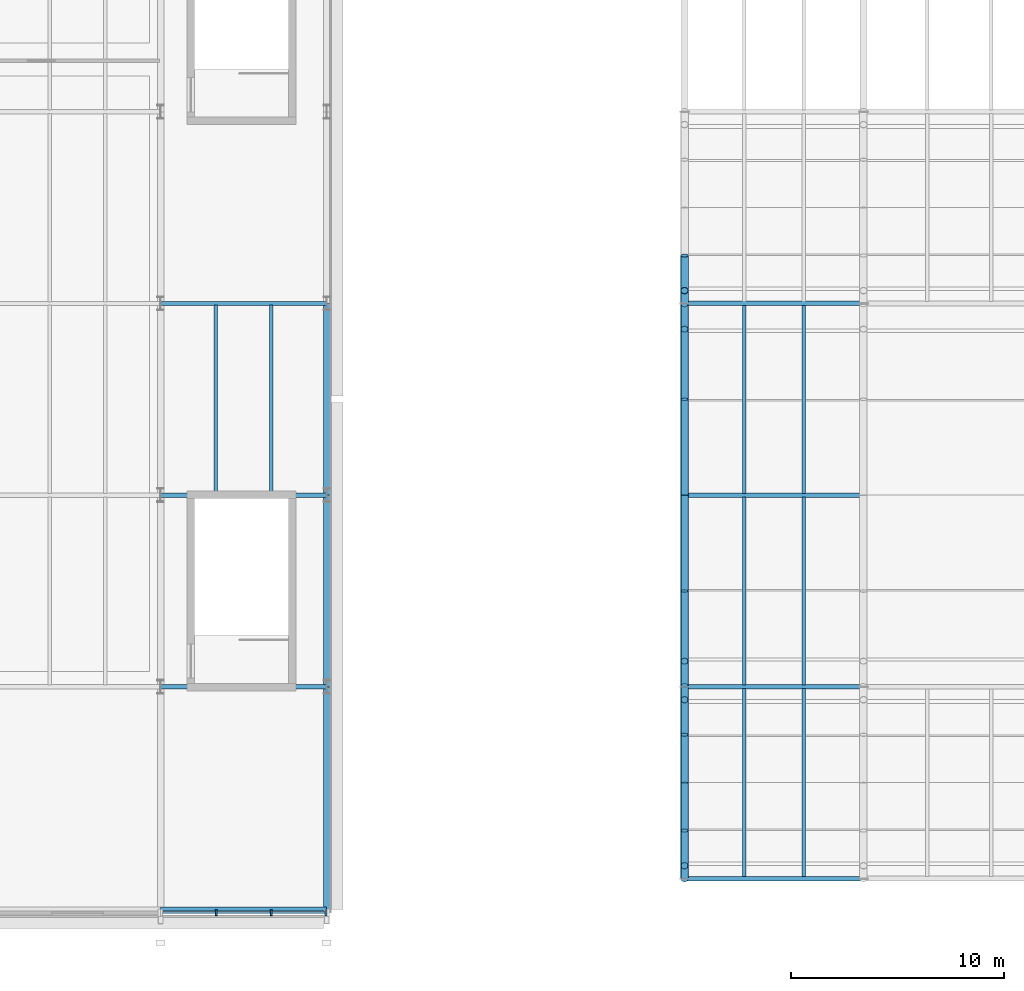
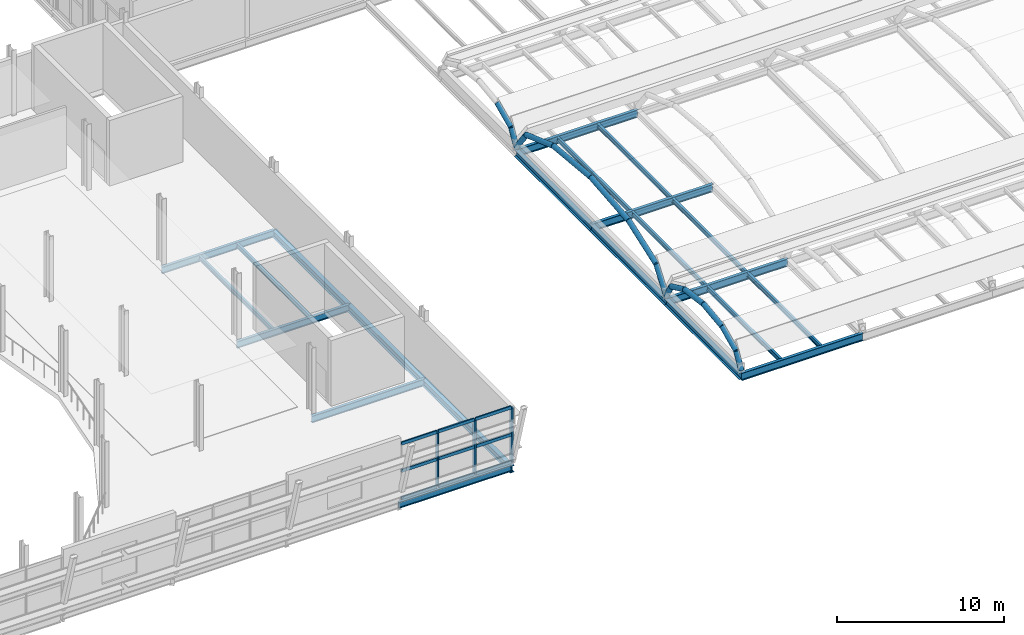
# One storey, part 20 of 63: 26 members, 22 beams, 1 element without a shape of its own.
"""IFC4 building model written with IfcOpenShell, lengths in metres."""

import ifcopenshell
import ifcopenshell.guid

model = None  # the IFC model being written
_history = None  # IfcOwnerHistory: only IFC2X3 demands one
_inside = {}  # id of a spatial element -> (the spatial element, [elements in it])
_under = {}  # id of a project, library or spatial element -> (it, [spatial elements below it])
_declared = {}  # id of a project -> (the project, [libraries it declares])
_typed = {}  # id of a type object -> (the type object, [elements of that type])
_made_of = {}  # id of a material, layer set ... -> (it, [elements and type objects made of it])


def new_model(schema):
    """Start an empty IFC model of exactly this schema.

    Asked for "IFC4X3", IfcOpenShell would pick the latest addendum, in which some entities
    have other attributes; the version numbers below select the first issue.
    IFC2X3 requires an IfcOwnerHistory on every rooted entity: one is made here for all.
    """
    global model, _history
    if schema == "IFC4X3":
        model = ifcopenshell.file(schema_version=(4, 3, 0, 0))
    else:
        model = ifcopenshell.file(schema=schema)
    _inside.clear()
    _under.clear()
    _declared.clear()
    _typed.clear()
    _made_of.clear()
    _history = None
    if model.schema == "IFC2X3":
        org = make("IfcOrganization", Name="unknown")
        user = make(
            "IfcPersonAndOrganization",
            ThePerson=make("IfcPerson", FamilyName="unknown"),
            TheOrganization=org,
        )
        app = make(
            "IfcApplication",
            ApplicationDeveloper=org,
            Version="unknown",
            ApplicationFullName="unknown",
            ApplicationIdentifier="unknown",
        )
        _history = make(
            "IfcOwnerHistory",
            OwningUser=user,
            OwningApplication=app,
            ChangeAction="ADDED",
            CreationDate=0,
        )
    return model


def make(cls, **values):
    """One entity of the class cls with the attributes given. An attribute that is None is left unset."""
    return model.create_entity(
        cls, **{name: value for name, value in values.items() if value is not None}
    )


def rooted(cls, **values):
    """An entity with a GlobalId (a new one), such as an element, a storey or a relation."""
    return make(cls, GlobalId=ifcopenshell.guid.new(), OwnerHistory=_history, **values)


def si_unit(unit_type, name, prefix=None):
    """IfcSIUnit, for example si_unit("LENGTHUNIT", "METRE", prefix="MILLI")."""
    return make("IfcSIUnit", UnitType=unit_type, Prefix=prefix, Name=name)


def assignment(units):
    """IfcUnitAssignment: the units of a project."""
    return None if units is None else make("IfcUnitAssignment", Units=units)


def point(xyz):
    """IfcCartesianPoint."""
    return None if xyz is None else make("IfcCartesianPoint", Coordinates=xyz)


def direction(xyz):
    """IfcDirection."""
    return None if xyz is None else make("IfcDirection", DirectionRatios=xyz)


def frame(location, z_axis=None, x_axis=None):
    """IfcAxis2Placement3D, a coordinate frame: its origin and axes. An axis left out is left unset."""
    return make(
        "IfcAxis2Placement3D",
        Location=point(location),
        Axis=direction(z_axis),
        RefDirection=direction(x_axis),
    )


def frame_2d(location, x_axis=None):
    """IfcAxis2Placement2D, a coordinate frame in the plane: its origin and x axis."""
    return make(
        "IfcAxis2Placement2D", Location=point(location), RefDirection=direction(x_axis)
    )


def origin():
    """The frame at (0, 0, 0) with its axes left unset."""
    return frame((0.0, 0.0, 0.0))


def origin_2d():
    """The frame at (0, 0) in the plane with its x axis left unset."""
    return frame_2d((0.0, 0.0))


def place(relative_to, where):
    """IfcLocalPlacement: puts the frame where relative to a parent placement (None: the world)."""
    return make(
        "IfcLocalPlacement", PlacementRelTo=relative_to, RelativePlacement=where
    )


def context(
    kind, dimensions, precision=None, world=None, true_north=None, identifier=None
):
    """IfcGeometricRepresentationContext, for example the 3D "Model" context."""
    return make(
        "IfcGeometricRepresentationContext",
        ContextIdentifier=identifier,
        ContextType=kind,
        CoordinateSpaceDimension=dimensions,
        Precision=precision,
        WorldCoordinateSystem=world,
        TrueNorth=true_north,
    )


def subcontext(parent, identifier, kind, view, scale=None):
    """IfcGeometricRepresentationSubContext, for example "Body" below "Model"."""
    return make(
        "IfcGeometricRepresentationSubContext",
        ContextIdentifier=identifier,
        ContextType=kind,
        ParentContext=parent,
        TargetScale=scale,
        TargetView=view,
    )


def project(units=None, contexts=None):
    """IfcProject with its units and contexts."""
    return rooted(
        "IfcProject",
        Name="project",
        RepresentationContexts=contexts,
        UnitsInContext=assignment(units),
    )


def spatial(cls, under=None, at=None, **own):
    """A site, building, storey or space (cls), placed at a placement, below another one or the project."""
    s = rooted(cls, ObjectPlacement=at, **own)
    if under is not None:
        _under.setdefault(under.id(), (under, []))[1].append(s)
    return s


def profile(cls, at=None, kind="AREA", **sizes):
    """A parametric profile (cls). Its sizes go by their IFC names, for example OverallWidth=200.0."""
    return make(cls, ProfileType=kind, Position=at, **sizes)


def rectangle(**sizes):
    """IfcRectangleProfileDef."""
    return profile("IfcRectangleProfileDef", **sizes)


def hollow_circle(**sizes):
    """IfcCircleHollowProfileDef."""
    return profile("IfcCircleHollowProfileDef", **sizes)


def i_section(**sizes):
    """IfcIShapeProfileDef."""
    return profile("IfcIShapeProfileDef", **sizes)


def extrude(swept, where, along, depth):
    """IfcExtrudedAreaSolid: the profile swept, set in the frame where, extruded along a direction by depth."""
    return make(
        "IfcExtrudedAreaSolid",
        SweptArea=swept,
        Position=where,
        ExtrudedDirection=direction(along),
        Depth=depth,
    )


def shape(context_of_items, identifier, shape_type, items):
    """IfcShapeRepresentation: the items that make up one representation, for example the "Body"."""
    return make(
        "IfcShapeRepresentation",
        ContextOfItems=context_of_items,
        RepresentationIdentifier=identifier,
        RepresentationType=shape_type,
        Items=items,
    )


def material(Name=None, Category=None):
    """IfcMaterial."""
    return make("IfcMaterial", Name=Name, Category=Category)


def layer(
    of_material, thickness, ventilated=None, Name=None, Category=None, Priority=None
):
    """IfcMaterialLayer: one layer of a wall or slab, of a material (None: an air gap)."""
    return make(
        "IfcMaterialLayer",
        Material=of_material,
        LayerThickness=thickness,
        IsVentilated=ventilated,
        Name=Name,
        Category=Category,
        Priority=Priority,
    )


def layer_set(layers, Name=None):
    """IfcMaterialLayerSet."""
    return make("IfcMaterialLayerSet", MaterialLayers=layers, LayerSetName=Name)


def material_profile(
    of_material, cross_section, Name=None, Category=None, Priority=None
):
    """IfcMaterialProfile: a cross section and its material."""
    return make(
        "IfcMaterialProfile",
        Name=Name,
        Material=of_material,
        Profile=cross_section,
        Priority=Priority,
        Category=Category,
    )


def profile_set(profiles, Name=None, composite=None):
    """IfcMaterialProfileSet."""
    return make(
        "IfcMaterialProfileSet",
        Name=Name,
        MaterialProfiles=profiles,
        CompositeProfile=composite,
    )


def made_of(thing, what):
    """Note that an element or type object is made of a material, layer set ...; save() writes the relation."""
    if what is not None:
        _made_of.setdefault(what.id(), (what, []))[1].append(thing)
    return thing


def type_object(cls, material=None, **own):
    """A type object (cls), such as IfcWallType, which elements share."""
    return made_of(rooted(cls, **own), material)


def element(
    cls,
    number,
    at=None,
    inside=None,
    cuts=None,
    type_object=None,
    material=None,
    context=None,
    identifier="Body",
    shape_type=None,
    held_by="IfcProductDefinitionShape",
    body=None,
    shapes=None,
    **own,
):
    """One element of the class cls, such as IfcWall. Its Tag is "e" and its number.

    at: its placement. inside: the storey or other place that contains it. cuts: it is an
    opening in that element (IfcRelVoidsElement). A single representation is given by context,
    identifier, shape_type and body (its items); several are given by shapes. held_by: the class
    of the entity that holds the representations. save() writes the other relations.
    """
    e = rooted(cls, Tag="e%d" % number, ObjectPlacement=at, **own)
    if body is not None:
        shapes = [shape(context, identifier, shape_type, body)]
    if shapes is not None:
        e.Representation = make(held_by, Representations=shapes)
    if inside is not None:
        _inside.setdefault(inside.id(), (inside, []))[1].append(e)
    if cuts is not None:
        rooted(
            "IfcRelVoidsElement", RelatingBuildingElement=cuts, RelatedOpeningElement=e
        )
    if type_object is not None:
        _typed.setdefault(type_object.id(), (type_object, []))[1].append(e)
    return made_of(e, material)


def aggregate(whole, parts):
    """IfcRelAggregates: a whole, such as a stair, and the parts it consists of."""
    return rooted("IfcRelAggregates", RelatingObject=whole, RelatedObjects=parts)


def save(model, path):
    """Write the relations noted so far, then the file.

    IfcRelAggregates (storeys below a building ...), IfcRelContainedInSpatialStructure (elements
    in a storey), IfcRelDefinesByType, IfcRelAssociatesMaterial and IfcRelDeclares: one each for
    every whole, place, type object, material and project.
    """
    for whole, parts in _under.values():
        aggregate(whole, parts)
    for where, things in _inside.values():
        rooted(
            "IfcRelContainedInSpatialStructure",
            RelatedElements=things,
            RelatingStructure=where,
        )
    for kind, things in _typed.values():
        rooted("IfcRelDefinesByType", RelatedObjects=things, RelatingType=kind)
    for what, things in _made_of.values():
        rooted("IfcRelAssociatesMaterial", RelatedObjects=things, RelatingMaterial=what)
    for by, libraries in _declared.values():
        rooted("IfcRelDeclares", RelatingContext=by, RelatedDefinitions=libraries)
    model.write(path)


model = new_model("IFC4")

# Units and contexts
model_context = context("Model", 3, precision=1e-05, world=origin(), true_north=direction((0.0, 1.0)))
body_context = subcontext(model_context, "Body", "Model", "MODEL_VIEW")
ifc_project = project(units=[si_unit("LENGTHUNIT", "METRE"), si_unit("AREAUNIT", "SQUARE_METRE"), si_unit("VOLUMEUNIT", "CUBIC_METRE"), si_unit("PLANEANGLEUNIT", "RADIAN"), si_unit("MASSUNIT", "GRAM", prefix="KILO")], contexts=[model_context])

# Site, building, storey
site_placement = place(None, origin())
site = spatial("IfcSite", under=ifc_project, at=site_placement, CompositionType="ELEMENT")
building_placement = place(site_placement, origin())
building = spatial("IfcBuilding", under=site, at=building_placement, Name="Sefraquen Railside Congress Hotel", CompositionType="ELEMENT")
storey_placement = place(building_placement, frame((0.0, 0.0, 11.39990234375)))
storey = spatial("IfcBuildingStorey", under=building, at=storey_placement, Name="L02", CompositionType="ELEMENT", Elevation=11.39990234375)

# Beams
ifc_material_1 = material(Name="Steel S355JR", Category="steel")
ifc_material_profile_1 = material_profile(ifc_material_1, i_section(OverallWidth=0.18994140625, OverallDepth=0.449951171875, WebThickness=0.009521484375, FlangeThickness=0.0146484375, FilletRadius=0.02099609375, at=origin_2d()), Name="IPE 450")
ifc_profile_set_1 = profile_set([ifc_material_profile_1], Name="Steel S355JR")
beam_type_1 = type_object("IfcBeamType", Name="TB-BM-450", PredefinedType="BEAM", material=ifc_profile_set_1)
beam_1_placement = place(storey_placement, frame((95.39990234375, 7.57080078125, -0.574951171875), z_axis=(1.0, 0.0, 0.0), x_axis=(0.0, 1.0, 0.0)))
element("IfcBeam", 1, at=beam_1_placement, inside=storey, type_object=beam_type_1, Name="Congress leaning-hull south edge beam L02-09", PredefinedType="BEAM", context=body_context, shape_type="SweptSolid", body=[
    extrude(i_section(OverallWidth=0.18994140625, OverallDepth=0.449951171875, WebThickness=0.009521484375, FlangeThickness=0.0146484375, FilletRadius=0.02099609375, at=origin_2d()), origin(), (0.0, 0.0, 1.0), 7.800048828125),
])
ifc_material_profile_2 = material_profile(ifc_material_1, i_section(OverallWidth=0.199951171875, OverallDepth=0.5, WebThickness=0.01025390625, FlangeThickness=0.01611328125, FilletRadius=0.02099609375, at=origin_2d()), Name="IPE 500")
ifc_profile_set_2 = profile_set([ifc_material_profile_2], Name="Steel S355JR")
beam_type_2 = type_object("IfcBeamType", Name="TB-BM-500", PredefinedType="BEAM", material=ifc_profile_set_2)
for number, where, z_axis, x_axis, name in (
    (2, (95.39990234375, 18.0, -0.599853515625), (1.0, 0.0, 0.0), (0.0, 1.0, 0.0), "Primary girder BM-L02-0683"),
    (3, (95.39990234375, 27.0, -0.599853515625), (1.0, 0.0, 0.0), (0.0, 1.0, 0.0), "Primary girder BM-L02-0694"),
    (4, (95.39990234375, 36.0, -0.599853515625), (1.0, 0.0, 0.0), (0.0, 1.0, 0.0), "Primary girder BM-L02-0698"),
):
    element("IfcBeam", number, at=place(storey_placement, frame(where, z_axis=z_axis, x_axis=x_axis)), inside=storey, type_object=beam_type_2, Name=name, PredefinedType="BEAM", context=body_context, shape_type="SweptSolid", body=[
        extrude(i_section(OverallWidth=0.199951171875, OverallDepth=0.5, WebThickness=0.01025390625, FlangeThickness=0.01611328125, FilletRadius=0.02099609375, at=origin_2d()), origin(), (0.0, 0.0, 1.0), 7.800048828125),
    ])
ifc_material_profile_3 = material_profile(ifc_material_1, i_section(OverallWidth=0.300048828125, OverallDepth=0.489990234375, WebThickness=0.011962890625, FlangeThickness=0.02294921875, FilletRadius=0.027099609375, at=origin_2d()), Name="HEA 500")
ifc_profile_set_3 = profile_set([ifc_material_profile_3], Name="Steel S355JR")
beam_type_3 = type_object("IfcBeamType", Name="TB-GIR-500", PredefinedType="T_BEAM", material=ifc_profile_set_3)
for number, where, z_axis, x_axis, name in (
    (5, (103.199951171875, 18.0, -0.594970703125), (0.0, 1.0, 0.0), (-1.0, 0.0, 0.0), "Floor beam BM-L02-0923"),
    (6, (103.199951171875, 27.0, -0.594970703125), (0.0, 1.0, 0.0), (-1.0, 0.0, 0.0), "Floor beam BM-L02-0924"),
    (7, (120.0, 9.0, -0.594970703125), (0.0, 1.0, 0.0), (-1.0, 0.0, 0.0), "Floor beam BM-L02-0943"),
    (8, (120.0, 18.0, -0.594970703125), (0.0, 1.0, 0.0), (-1.0, 0.0, 0.0), "Floor beam BM-L02-0944"),
    (9, (120.0, 27.0, -0.594970703125), (0.0, 1.0, 0.0), (-1.0, 0.0, 0.0), "Floor beam BM-L02-0945"),
):
    element("IfcBeam", number, at=place(storey_placement, frame(where, z_axis=z_axis, x_axis=x_axis)), inside=storey, type_object=beam_type_3, Name=name, PredefinedType="T_BEAM", context=body_context, shape_type="SweptSolid", body=[
        extrude(i_section(OverallWidth=0.300048828125, OverallDepth=0.489990234375, WebThickness=0.011962890625, FlangeThickness=0.02294921875, FilletRadius=0.027099609375, at=origin_2d()), origin(), (0.0, 0.0, 1.0), 9.0),
    ])
beam_2_placement = place(storey_placement, frame((103.199951171875, 7.400390625, -0.594970703125), z_axis=(0.0, 1.0, 0.0), x_axis=(-1.0, 0.0, 0.0)))
element("IfcBeam", 10, at=beam_2_placement, inside=storey, type_object=beam_type_3, Name="Congress leaning-hull diaphragm tie girder S-14 L02", PredefinedType="T_BEAM", context=body_context, shape_type="SweptSolid", body=[
    extrude(i_section(OverallWidth=0.300048828125, OverallDepth=0.489990234375, WebThickness=0.011962890625, FlangeThickness=0.02294921875, FilletRadius=0.027099609375, at=origin_2d()), origin(), (0.0, 0.0, 1.0), 10.599609375),
])
ifc_material_profile_4 = material_profile(ifc_material_1, i_section(OverallWidth=0.2099609375, OverallDepth=0.550048828125, WebThickness=0.010986328125, FlangeThickness=0.01708984375, FilletRadius=0.02392578125, at=origin_2d()), Name="IPE 550")
ifc_profile_set_4 = profile_set([ifc_material_profile_4], Name="Steel S355JR")
beam_type_4 = type_object("IfcBeamType", Name="TB-GIR-550", PredefinedType="T_BEAM", material=ifc_profile_set_4)
for number, where, z_axis, x_axis, name in (
    (11, (120.0, 9.0, -0.625), (1.0, 0.0, 0.0), (0.0, 1.0, 0.0), "Thermal Spa vault tension ring girder BM-L02-0675"),
    (12, (120.0, 18.0, -0.625), (1.0, 0.0, 0.0), (0.0, 1.0, 0.0), "Thermal Spa vault tension ring girder BM-L02-0684"),
    (13, (120.0, 27.0, -0.625), (1.0, 0.0, 0.0), (0.0, 1.0, 0.0), "Primary girder BM-L02-0695"),
    (14, (120.0, 36.0, -0.625), (1.0, 0.0, 0.0), (0.0, 1.0, 0.0), "Thermal Spa vault tension ring girder BM-L02-0699"),
):
    element("IfcBeam", number, at=place(storey_placement, frame(where, z_axis=z_axis, x_axis=x_axis)), inside=storey, type_object=beam_type_4, Name=name, PredefinedType="T_BEAM", context=body_context, shape_type="SweptSolid", body=[
        extrude(i_section(OverallWidth=0.2099609375, OverallDepth=0.550048828125, WebThickness=0.010986328125, FlangeThickness=0.01708984375, FilletRadius=0.02392578125, at=origin_2d()), origin(), (0.0, 0.0, 1.0), 8.39990234375),
    ])
ifc_material_profile_5 = material_profile(ifc_material_1, i_section(OverallWidth=0.159912109375, OverallDepth=0.330078125, WebThickness=0.007568359375, FlangeThickness=0.011474609375, FilletRadius=0.01806640625, at=origin_2d()), Name="IPE 330")
ifc_profile_set_5 = profile_set([ifc_material_profile_5], Name="Steel S355JR")
beam_type_5 = type_object("IfcBeamType", Name="TB-JST-330", PredefinedType="JOIST", material=ifc_profile_set_5)
for number, where, z_axis, x_axis, name in (
    (15, (98.0, 27.080078125, -0.514892578125), (0.0, 1.0, 0.0), (-1.0, 0.0, 0.0), "Composite floor joist BM-L02-J0554"),
    (16, (100.60009765625, 27.080078125, -0.514892578125), (0.0, 1.0, 0.0), (-1.0, 0.0, 0.0), "Composite floor joist BM-L02-J0555"),
):
    element("IfcBeam", number, at=place(storey_placement, frame(where, z_axis=z_axis, x_axis=x_axis)), inside=storey, type_object=beam_type_5, Name=name, PredefinedType="JOIST", context=body_context, shape_type="SweptSolid", body=[
        extrude(i_section(OverallWidth=0.159912109375, OverallDepth=0.330078125, WebThickness=0.007568359375, FlangeThickness=0.011474609375, FilletRadius=0.01806640625, at=origin_2d()), origin(), (0.0, 0.0, 1.0), 8.83984375),
    ])
for number, where, z_axis, x_axis, name in (
    (17, (122.800048828125, 9.0849609375, -0.514892578125), (0.0, 1.0, 0.0), (-1.0, 0.0, 0.0), "Composite floor joist BM-L02-J0584"),
    (18, (125.60009765625, 9.0849609375, -0.514892578125), (0.0, 1.0, 0.0), (-1.0, 0.0, 0.0), "Composite floor joist BM-L02-J0585"),
    (19, (122.800048828125, 18.0849609375, -0.514892578125), (0.0, 1.0, 0.0), (-1.0, 0.0, 0.0), "Composite floor joist BM-L02-J0586"),
    (20, (125.60009765625, 18.0849609375, -0.514892578125), (0.0, 1.0, 0.0), (-1.0, 0.0, 0.0), "Composite floor joist BM-L02-J0587"),
    (21, (122.800048828125, 27.0849609375, -0.514892578125), (0.0, 1.0, 0.0), (-1.0, 0.0, 0.0), "Composite floor joist BM-L02-J0588"),
    (22, (125.60009765625, 27.0849609375, -0.514892578125), (0.0, 1.0, 0.0), (-1.0, 0.0, 0.0), "Composite floor joist BM-L02-J0589"),
):
    element("IfcBeam", number, at=place(storey_placement, frame(where, z_axis=z_axis, x_axis=x_axis)), inside=storey, type_object=beam_type_5, Name=name, PredefinedType="JOIST", context=body_context, shape_type="SweptSolid", body=[
        extrude(i_section(OverallWidth=0.159912109375, OverallDepth=0.330078125, WebThickness=0.007568359375, FlangeThickness=0.011474609375, FilletRadius=0.01806640625, at=origin_2d()), origin(), (0.0, 0.0, 1.0), 8.830078125),
    ])

# Curtain wall, members
ifc_material_2 = material(Name="Thermally broken anodised aluminium and low-E double glazing", Category="aluminium")
ifc_layer = layer(ifc_material_2, 0.199951171875)
ifc_layer_set = layer_set([ifc_layer], Name="Thermally broken anodised aluminium and low-E double glazing")
curtain_wall_type = type_object("IfcCurtainWallType", Name="TCW-UCW-24", PredefinedType="USERDEFINED", material=ifc_layer_set)
curtain_wall_placement = place(storey_placement, origin())
curtain_wall = element("IfcCurtainWall", 23, at=curtain_wall_placement, inside=storey, type_object=curtain_wall_type, Name="Congress leaning south curtain wall L02-10", ObjectType="UNITISED CURTAIN WALL", PredefinedType="USERDEFINED")
ifc_material_3 = material(Name="Thermally broken anodised aluminium 6063-T6", Category="aluminium")
ifc_material_profile_6 = material_profile(ifc_material_3, rectangle(XDim=0.090087890625, YDim=0.280029296875, at=origin_2d()), Name="CWM 90x280")
ifc_profile_set_6 = profile_set([ifc_material_profile_6], Name="Thermally broken anodised aluminium 6063-T6")
member_type_1 = type_object("IfcMemberType", Name="TM-CWM-07", PredefinedType="MULLION", material=ifc_profile_set_6)
member_1_placement = place(storey_placement, frame((98.01318359375, 7.400390625, 0.0), z_axis=(0.0, 0.0, 1.0), x_axis=(1.0, 0.0, 0.0)))
member_1 = element("IfcMember", 24, at=member_1_placement, type_object=member_type_1, Name="CW-L02-056 mullion 2", PredefinedType="MULLION", context=body_context, shape_type="SweptSolid", body=[
    extrude(rectangle(XDim=0.090087890625, YDim=0.280029296875, at=origin_2d()), origin(), (0.0, 0.0, 1.0), 3.989990234375),
])
member_2_placement = place(storey_placement, frame((100.586669921875, 7.400390625, 0.0), z_axis=(0.0, 0.0, 1.0), x_axis=(1.0, 0.0, 0.0)))
member_2 = element("IfcMember", 25, at=member_2_placement, type_object=member_type_1, Name="CW-L02-056 mullion 3", PredefinedType="MULLION", context=body_context, shape_type="SweptSolid", body=[
    extrude(rectangle(XDim=0.090087890625, YDim=0.280029296875, at=origin_2d()), origin(), (0.0, 0.0, 1.0), 3.989990234375),
])
ifc_material_profile_7 = material_profile(ifc_material_3, rectangle(XDim=0.094970703125, YDim=0.300048828125, at=origin_2d()), Name="CWM 95x300")
ifc_profile_set_7 = profile_set([ifc_material_profile_7], Name="Thermally broken anodised aluminium 6063-T6")
member_type_2 = type_object("IfcMemberType", Name="TM-CWM-08", PredefinedType="MULLION", material=ifc_profile_set_7)
member_3_placement = place(storey_placement, frame((103.159912109375, 7.400390625, 0.0), z_axis=(0.0, 0.0, 1.0), x_axis=(1.0, 0.0, 0.0)))
member_3 = element("IfcMember", 26, at=member_3_placement, type_object=member_type_2, Name="CW-L02-056 mullion 4", PredefinedType="MULLION", context=body_context, shape_type="SweptSolid", body=[
    extrude(rectangle(XDim=0.094970703125, YDim=0.300048828125, at=origin_2d()), origin(), (0.0, 0.0, 1.0), 3.989990234375),
])
ifc_material_profile_8 = material_profile(ifc_material_3, rectangle(XDim=0.094970703125, YDim=0.22509765625, at=origin_2d()), Name="CWT 95x225")
ifc_profile_set_8 = profile_set([ifc_material_profile_8], Name="Thermally broken anodised aluminium 6063-T6")
member_type_3 = type_object("IfcMemberType", Name="TM-CWT-08", PredefinedType="USERDEFINED", material=ifc_profile_set_8)
member_4_placement = place(storey_placement, frame((95.485107421875, 7.400390625, 0.0), z_axis=(1.0, 0.0, 0.0), x_axis=(0.0, 1.0, 0.0)))
member_4 = element("IfcMember", 27, at=member_4_placement, type_object=member_type_3, Name="CW-L02-056 transom 1.1", ObjectType="TRANSOM", PredefinedType="USERDEFINED", context=body_context, shape_type="SweptSolid", body=[
    extrude(rectangle(XDim=0.094970703125, YDim=0.22509765625, at=origin_2d()), origin(), (0.0, 0.0, 1.0), 2.483154296875),
])
member_5_placement = place(storey_placement, frame((98.058349609375, 7.400390625, 0.0), z_axis=(1.0, 0.0, 0.0), x_axis=(0.0, 1.0, 0.0)))
member_5 = element("IfcMember", 28, at=member_5_placement, type_object=member_type_3, Name="CW-L02-056 transom 1.2", ObjectType="TRANSOM", PredefinedType="USERDEFINED", context=body_context, shape_type="SweptSolid", body=[
    extrude(rectangle(XDim=0.094970703125, YDim=0.22509765625, at=origin_2d()), origin(), (0.0, 0.0, 1.0), 2.4833984375),
])
member_6_placement = place(storey_placement, frame((100.631591796875, 7.400390625, 0.0), z_axis=(1.0, 0.0, 0.0), x_axis=(0.0, 1.0, 0.0)))
member_6 = element("IfcMember", 29, at=member_6_placement, type_object=member_type_3, Name="CW-L02-056 transom 1.3", ObjectType="TRANSOM", PredefinedType="USERDEFINED", context=body_context, shape_type="SweptSolid", body=[
    extrude(rectangle(XDim=0.094970703125, YDim=0.22509765625, at=origin_2d()), origin(), (0.0, 0.0, 1.0), 2.4833984375),
])
member_7_placement = place(storey_placement, frame((95.485107421875, 7.400390625, 1.9951171875), z_axis=(1.0, 0.0, 0.0), x_axis=(0.0, 1.0, 0.0)))
member_7 = element("IfcMember", 30, at=member_7_placement, type_object=member_type_3, Name="CW-L02-056 transom 2.1", ObjectType="TRANSOM", PredefinedType="USERDEFINED", context=body_context, shape_type="SweptSolid", body=[
    extrude(rectangle(XDim=0.094970703125, YDim=0.22509765625, at=origin_2d()), origin(), (0.0, 0.0, 1.0), 2.483154296875),
])
member_8_placement = place(storey_placement, frame((98.058349609375, 7.400390625, 1.9951171875), z_axis=(1.0, 0.0, 0.0), x_axis=(0.0, 1.0, 0.0)))
member_8 = element("IfcMember", 31, at=member_8_placement, type_object=member_type_3, Name="CW-L02-056 transom 2.2", ObjectType="TRANSOM", PredefinedType="USERDEFINED", context=body_context, shape_type="SweptSolid", body=[
    extrude(rectangle(XDim=0.094970703125, YDim=0.22509765625, at=origin_2d()), origin(), (0.0, 0.0, 1.0), 2.4833984375),
])
member_9_placement = place(storey_placement, frame((100.631591796875, 7.400390625, 1.9951171875), z_axis=(1.0, 0.0, 0.0), x_axis=(0.0, 1.0, 0.0)))
member_9 = element("IfcMember", 32, at=member_9_placement, type_object=member_type_3, Name="CW-L02-056 transom 2.3", ObjectType="TRANSOM", PredefinedType="USERDEFINED", context=body_context, shape_type="SweptSolid", body=[
    extrude(rectangle(XDim=0.094970703125, YDim=0.22509765625, at=origin_2d()), origin(), (0.0, 0.0, 1.0), 2.4833984375),
])
member_10_placement = place(storey_placement, frame((95.485107421875, 7.400390625, 3.989990234375), z_axis=(1.0, 0.0, 0.0), x_axis=(0.0, 1.0, 0.0)))
member_10 = element("IfcMember", 33, at=member_10_placement, type_object=member_type_3, Name="CW-L02-056 transom 3.1", ObjectType="TRANSOM", PredefinedType="USERDEFINED", context=body_context, shape_type="SweptSolid", body=[
    extrude(rectangle(XDim=0.094970703125, YDim=0.22509765625, at=origin_2d()), origin(), (0.0, 0.0, 1.0), 2.483154296875),
])
member_11_placement = place(storey_placement, frame((98.058349609375, 7.400390625, 3.989990234375), z_axis=(1.0, 0.0, 0.0), x_axis=(0.0, 1.0, 0.0)))
member_11 = element("IfcMember", 34, at=member_11_placement, type_object=member_type_3, Name="CW-L02-056 transom 3.2", ObjectType="TRANSOM", PredefinedType="USERDEFINED", context=body_context, shape_type="SweptSolid", body=[
    extrude(rectangle(XDim=0.094970703125, YDim=0.22509765625, at=origin_2d()), origin(), (0.0, 0.0, 1.0), 2.4833984375),
])
member_12_placement = place(storey_placement, frame((100.631591796875, 7.400390625, 3.989990234375), z_axis=(1.0, 0.0, 0.0), x_axis=(0.0, 1.0, 0.0)))
member_12 = element("IfcMember", 35, at=member_12_placement, type_object=member_type_3, Name="CW-L02-056 transom 3.3", ObjectType="TRANSOM", PredefinedType="USERDEFINED", context=body_context, shape_type="SweptSolid", body=[
    extrude(rectangle(XDim=0.094970703125, YDim=0.22509765625, at=origin_2d()), origin(), (0.0, 0.0, 1.0), 2.4833984375),
])
aggregate(curtain_wall, [member_1, member_2, member_3, member_4, member_5, member_6, member_7, member_8, member_9, member_10, member_11, member_12])

# Members
ifc_material_4 = material(Name="Steel S355J2", Category="steel")
ifc_material_profile_9 = material_profile(ifc_material_4, hollow_circle(Radius=0.177734375, WallThickness=0.01611328125, at=origin_2d()), Name="CHS 355.6x16")
ifc_profile_set_9 = profile_set([ifc_material_profile_9], Name="Steel S355J2")
member_type_4 = type_object("IfcMemberType", Name="TM-VRAF-355", PredefinedType="RAFTER", material=ifc_profile_set_9)
member_13_placement = place(storey_placement, frame((120.0, 9.0, -0.18994140625), z_axis=(0.0, 0.4949942083, 0.868896273297), x_axis=(-1.0, 0.0, 0.0)))
element("IfcMember", 36, at=member_13_placement, inside=storey, type_object=member_type_4, Name="Thermal Spa vault 1 arched rib 1.1", PredefinedType="RAFTER", context=body_context, shape_type="SweptSolid", body=[
    extrude(hollow_circle(Radius=0.177734375, WallThickness=0.01611328125, at=origin_2d()), origin(), (0.0, 0.0, 1.0), 1.2177734375),
])
member_14_placement = place(storey_placement, frame((120.0, 9.602783203125, 0.8681640625), z_axis=(0.0, 0.906214019908, 0.422819287783), x_axis=(-1.0, 0.0, 0.0)))
element("IfcMember", 37, at=member_14_placement, inside=storey, type_object=member_type_4, Name="Thermal Spa vault 1 arched rib 1.2", PredefinedType="RAFTER", context=body_context, shape_type="SweptSolid", body=[
    extrude(hollow_circle(Radius=0.177734375, WallThickness=0.01611328125, at=origin_2d()), origin(), (0.0, 0.0, 1.0), 1.817626953125),
])
for number, where, z_axis, x_axis, name in (
    (38, (120.0, 11.25, 1.63671875), (0.0, 0.992264619654, 0.124140745059), (-1.0, 0.0, 0.0), "Thermal Spa vault 1 arched rib 1.3"),
    (39, (120.0, 13.5, 1.918212890625), (0.0, 0.992264619654, -0.124140745059), (-1.0, 0.0, 0.0), "Thermal Spa vault 1 arched rib 1.4"),
):
    element("IfcMember", number, at=place(storey_placement, frame(where, z_axis=z_axis, x_axis=x_axis)), inside=storey, type_object=member_type_4, Name=name, PredefinedType="RAFTER", context=body_context, shape_type="SweptSolid", body=[
        extrude(hollow_circle(Radius=0.177734375, WallThickness=0.01611328125, at=origin_2d()), origin(), (0.0, 0.0, 1.0), 2.267578125),
    ])
member_15_placement = place(storey_placement, frame((120.0, 15.75, 1.63671875), z_axis=(0.0, 0.906214019908, -0.422819287783), x_axis=(-1.0, 0.0, 0.0)))
element("IfcMember", 40, at=member_15_placement, inside=storey, type_object=member_type_4, Name="Thermal Spa vault 1 arched rib 1.5", PredefinedType="RAFTER", context=body_context, shape_type="SweptSolid", body=[
    extrude(hollow_circle(Radius=0.177734375, WallThickness=0.01611328125, at=origin_2d()), origin(), (0.0, 0.0, 1.0), 1.817626953125),
])
member_16_placement = place(storey_placement, frame((120.0, 17.397216796875, 0.8681640625), z_axis=(0.0, 0.4949942083, -0.868896273297), x_axis=(-1.0, 0.0, 0.0)))
element("IfcMember", 41, at=member_16_placement, inside=storey, type_object=member_type_4, Name="Thermal Spa vault 1 arched rib 1.6", PredefinedType="RAFTER", context=body_context, shape_type="SweptSolid", body=[
    extrude(hollow_circle(Radius=0.177734375, WallThickness=0.01611328125, at=origin_2d()), origin(), (0.0, 0.0, 1.0), 1.2177734375),
])
member_17_placement = place(storey_placement, frame((120.0, 18.0, -0.18994140625), z_axis=(0.0, 0.599902825649, 0.800072871543), x_axis=(-1.0, 0.0, 0.0)))
element("IfcMember", 42, at=member_17_placement, inside=storey, type_object=member_type_4, Name="Thermal Spa vault 2 arched rib 1.1", PredefinedType="RAFTER", context=body_context, shape_type="SweptSolid", body=[
    extrude(hollow_circle(Radius=0.177734375, WallThickness=0.01611328125, at=origin_2d()), origin(), (0.0, 0.0, 1.0), 2.010009765625),
])
member_18_placement = place(storey_placement, frame((120.0, 19.205810546875, 1.418212890625), z_axis=(0.0, 0.942225955729, 0.334977981889), x_axis=(-1.0, 0.0, 0.0)))
element("IfcMember", 43, at=member_18_placement, inside=storey, type_object=member_type_4, Name="Thermal Spa vault 2 arched rib 1.2", PredefinedType="RAFTER", context=body_context, shape_type="SweptSolid", body=[
    extrude(hollow_circle(Radius=0.177734375, WallThickness=0.01611328125, at=origin_2d()), origin(), (0.0, 0.0, 1.0), 3.49609375),
])
for number, where, z_axis, x_axis, name in (
    (44, (120.0, 22.5, 2.58935546875), (0.0, 0.995492559283, 0.094839677414), (-1.0, 0.0, 0.0), "Thermal Spa vault 2 arched rib 1.3"),
    (45, (120.0, 27.0, 3.01806640625), (0.0, 0.995492559283, -0.094839677414), (-1.0, 0.0, 0.0), "Thermal Spa vault 2 arched rib 1.4"),
):
    element("IfcMember", number, at=place(storey_placement, frame(where, z_axis=z_axis, x_axis=x_axis)), inside=storey, type_object=member_type_4, Name=name, PredefinedType="RAFTER", context=body_context, shape_type="SweptSolid", body=[
        extrude(hollow_circle(Radius=0.177734375, WallThickness=0.01611328125, at=origin_2d()), origin(), (0.0, 0.0, 1.0), 4.520263671875),
    ])
member_19_placement = place(storey_placement, frame((120.0, 31.5, 2.58935546875), z_axis=(0.0, 0.942225955729, -0.334977981889), x_axis=(-1.0, 0.0, 0.0)))
element("IfcMember", 46, at=member_19_placement, inside=storey, type_object=member_type_4, Name="Thermal Spa vault 2 arched rib 1.5", PredefinedType="RAFTER", context=body_context, shape_type="SweptSolid", body=[
    extrude(hollow_circle(Radius=0.177734375, WallThickness=0.01611328125, at=origin_2d()), origin(), (0.0, 0.0, 1.0), 3.49609375),
])
member_20_placement = place(storey_placement, frame((120.0, 34.794189453125, 1.418212890625), z_axis=(0.0, 0.599902825649, -0.800072871543), x_axis=(-1.0, 0.0, 0.0)))
element("IfcMember", 47, at=member_20_placement, inside=storey, type_object=member_type_4, Name="Thermal Spa vault 2 arched rib 1.6", PredefinedType="RAFTER", context=body_context, shape_type="SweptSolid", body=[
    extrude(hollow_circle(Radius=0.177734375, WallThickness=0.01611328125, at=origin_2d()), origin(), (0.0, 0.0, 1.0), 2.010009765625),
])
member_21_placement = place(storey_placement, frame((120.0, 36.0, -0.18994140625), z_axis=(0.0, 0.4949942083, 0.868896273297), x_axis=(-1.0, 0.0, 0.0)))
element("IfcMember", 48, at=member_21_placement, inside=storey, type_object=member_type_4, Name="Thermal Spa vault 3 arched rib 1.1", PredefinedType="RAFTER", context=body_context, shape_type="SweptSolid", body=[
    extrude(hollow_circle(Radius=0.177734375, WallThickness=0.01611328125, at=origin_2d()), origin(), (0.0, 0.0, 1.0), 1.2177734375),
])
member_22_placement = place(storey_placement, frame((120.0, 36.602783203125, 0.8681640625), z_axis=(0.0, 0.906214019908, 0.422819287783), x_axis=(-1.0, 0.0, 0.0)))
element("IfcMember", 49, at=member_22_placement, inside=storey, type_object=member_type_4, Name="Thermal Spa vault 3 arched rib 1.2", PredefinedType="RAFTER", context=body_context, shape_type="SweptSolid", body=[
    extrude(hollow_circle(Radius=0.177734375, WallThickness=0.01611328125, at=origin_2d()), origin(), (0.0, 0.0, 1.0), 1.817626953125),
])

save(model, "model.ifc")
